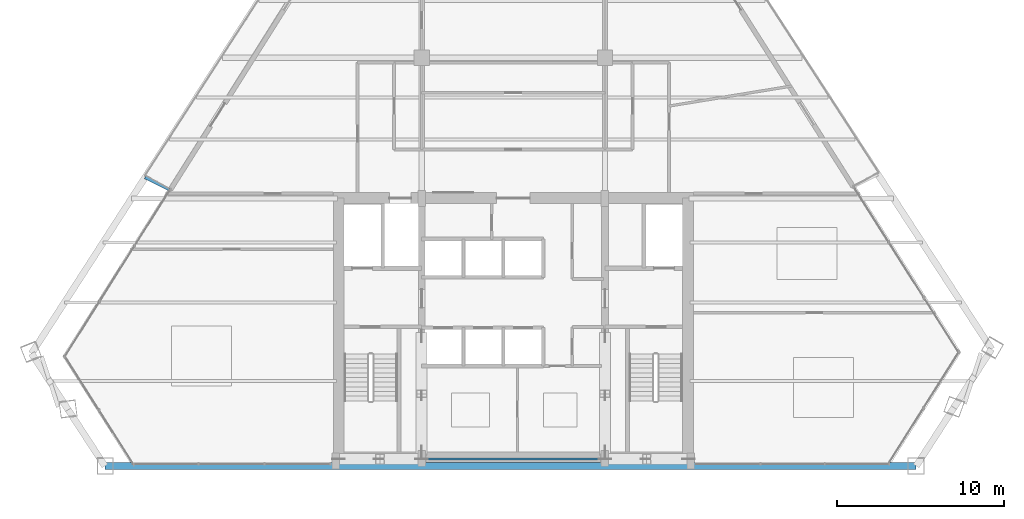
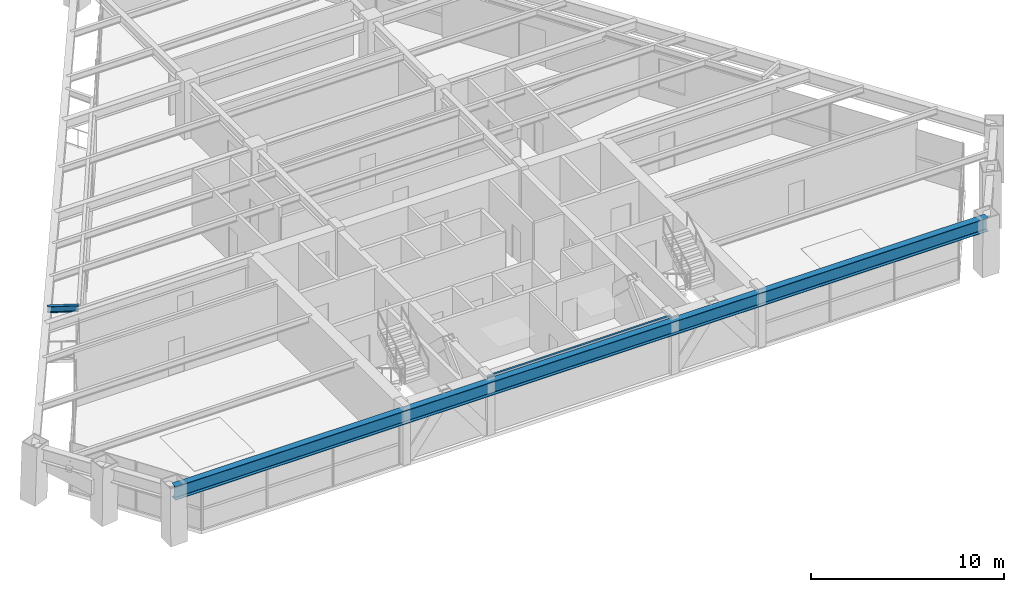
# One storey, part 3 of 15: 3 beams.
"""IFC4 building model written with IfcOpenShell, lengths in metres."""

from ifc_helpers import new_model, si_unit, direction, frame, origin, origin_2d, place, context, subcontext, project, spatial, i_section, extrude, source, transform, mapped, material, material_profile, profile_set, type_object, type_shapes, element, save


model = new_model("IFC4")

# Units and contexts
model_context = context("Model", 3, precision=1e-05, world=origin(), true_north=direction((0.0, 1.0)))
body_context = subcontext(model_context, "Body", "Model", "MODEL_VIEW")
ifc_project = project(units=[si_unit("LENGTHUNIT", "METRE"), si_unit("AREAUNIT", "SQUARE_METRE"), si_unit("VOLUMEUNIT", "CUBIC_METRE"), si_unit("PLANEANGLEUNIT", "RADIAN"), si_unit("MASSUNIT", "GRAM", prefix="KILO")], contexts=[model_context])

# Site, building, storey
site_placement = place(None, origin())
site = spatial("IfcSite", under=ifc_project, at=site_placement, CompositionType="ELEMENT")
building_placement = place(site_placement, origin())
building = spatial("IfcBuilding", under=site, at=building_placement, Name="Varnakhor Terracotta Tower", CompositionType="ELEMENT")
storey_placement = place(building_placement, frame((0.0, 0.0, 171.0)))
storey = spatial("IfcBuildingStorey", under=building, at=storey_placement, Name="L43", CompositionType="ELEMENT", Elevation=171.0)

# Beams
ifc_material = material(Name="Steel S355", Category="steel")
ifc_material_profile_1 = material_profile(ifc_material, i_section(OverallWidth=0.1201171875, OverallDepth=0.239990234375, WebThickness=0.006103515625, FlangeThickness=0.009765625, FilletRadius=0.01806640625, at=origin_2d()), Name="IPE240")
ifc_profile_set_1 = profile_set([ifc_material_profile_1], Name="Steel S355")
beam_type_1 = type_object("IfcBeamType", Name="LNT-IPE240", PredefinedType="LINTEL", material=ifc_profile_set_1)
shared_shape_1 = source(origin(), body_context, "Body", "SweptSolid", [
    extrude(i_section(OverallWidth=0.1201171875, OverallDepth=0.239990234375, WebThickness=0.006103515625, FlangeThickness=0.009765625, FilletRadius=0.01806640625, at=origin_2d()), origin(), (0.0, 0.0, 1.0), 11.0),
])
type_shapes(beam_type_1, [shared_shape_1])
beam_1_placement = place(storey_placement, frame((-5.5, 0.419921875, 3.35009765625), z_axis=(1.0, 0.0, 0.0), x_axis=(0.0, 1.0, 0.0)))
element("IfcBeam", 1, at=beam_1_placement, inside=storey, type_object=beam_type_1, Name="L43 Core South Coupling Lintel", PredefinedType="LINTEL", context=body_context, shape_type="MappedRepresentation", body=[
    mapped(shared_shape_1, transform((0.0, 0.0, 0.0), scale=1.0)),
])
ifc_material_profile_2 = material_profile(ifc_material, i_section(OverallWidth=0.39990234375, OverallDepth=0.85498046875, WebThickness=0.01806640625, FlangeThickness=0.029052734375, FilletRadius=0.01806640625, at=origin_2d()), Name="W33X201")
ifc_profile_set_2 = profile_set([ifc_material_profile_2], Name="Steel S355")
beam_type_2 = type_object("IfcBeamType", Name="BM-W33X201", PredefinedType="BEAM", material=ifc_profile_set_2)
shared_shape_2 = source(origin(), body_context, "Body", "SweptSolid", [
    extrude(i_section(OverallWidth=0.39990234375, OverallDepth=0.85498046875, WebThickness=0.01806640625, FlangeThickness=0.029052734375, FilletRadius=0.01806640625, at=origin_2d()), origin(), (0.0, 0.0, 1.0), 48.681396484375),
])
beam_2_placement = place(storey_placement, frame((-24.509033203125, 0.0, 3.04248046875), z_axis=(1.0, 0.0, 0.0), x_axis=(0.0, 1.0, 0.0)))
element("IfcBeam", 2, at=beam_2_placement, inside=storey, type_object=beam_type_2, Name="L43 Perimeter Spandrel 1", PredefinedType="BEAM", context=body_context, shape_type="MappedRepresentation", body=[
    mapped(shared_shape_2, transform((0.0, 0.0, 0.0), scale=1.0)),
])
ifc_material_profile_3 = material_profile(ifc_material, i_section(OverallWidth=0.179931640625, OverallDepth=0.39990234375, WebThickness=0.008544921875, FlangeThickness=0.013427734375, FilletRadius=0.01806640625, at=origin_2d()), Name="IPE400")
ifc_profile_set_3 = profile_set([ifc_material_profile_3], Name="Steel S355")
beam_type_3 = type_object("IfcBeamType", Name="JST-IPE400", PredefinedType="JOIST", material=ifc_profile_set_3)
shared_shape_3 = source(origin(), body_context, "Body", "SweptSolid", [
    extrude(i_section(OverallWidth=0.179931640625, OverallDepth=0.39990234375, WebThickness=0.008544921875, FlangeThickness=0.013427734375, FilletRadius=0.01806640625, at=origin_2d()), origin(), (0.0, 0.0, 1.0), 1.628662109375),
])
beam_3_placement = place(storey_placement, frame((-20.637939453125, 16.588623046875, 3.27001953125), z_axis=(-0.895414410235, 0.445233684647, 0.0), x_axis=(-0.445233684647, -0.895414410235, 0.0)))
element("IfcBeam", 3, at=beam_3_placement, inside=storey, type_object=beam_type_3, Name="L44 W Loggia Tie Beam 1", PredefinedType="JOIST", context=body_context, shape_type="MappedRepresentation", body=[
    mapped(shared_shape_3, transform((0.0, 0.0, 0.0), scale=1.0)),
])

save(model, "model.ifc")
